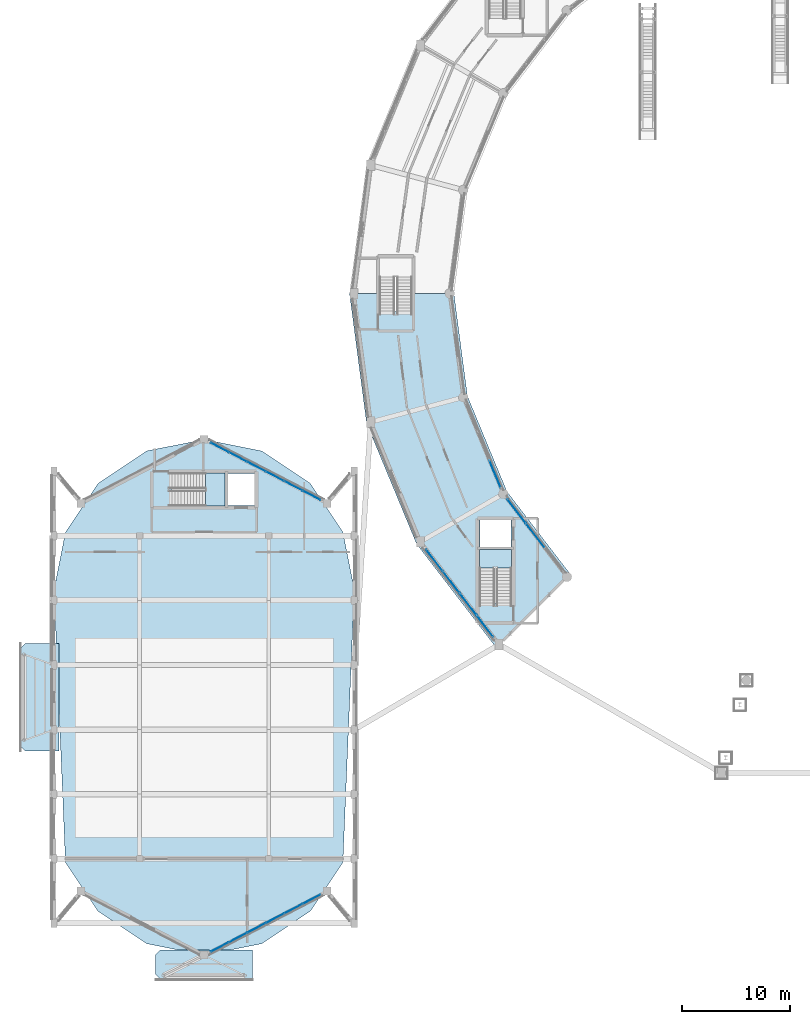
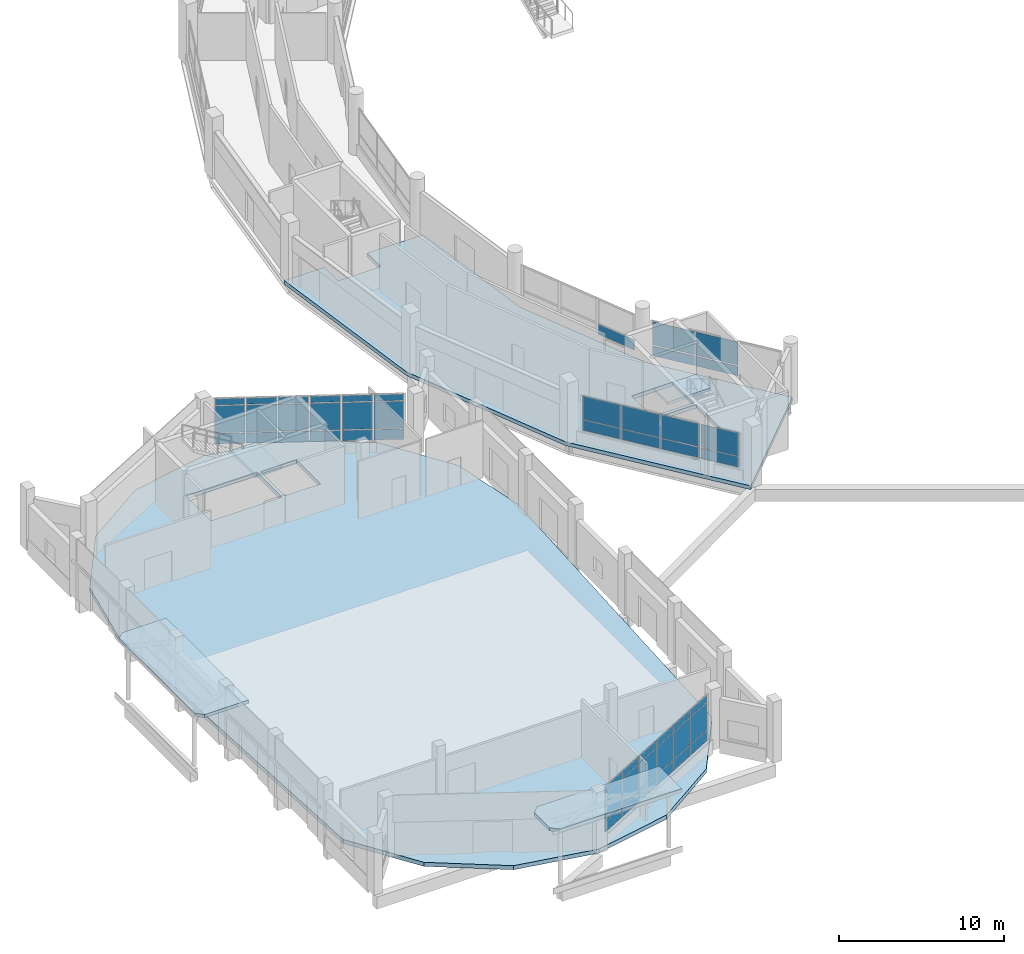
# One storey, part 98 of 129: 49 plates, 6 slabs, 9 elements without a shape of their own.
"""IFC4 building model written with IfcOpenShell, lengths in metres."""

from ifc_helpers import new_model, si_unit, direction, frame, origin, origin_2d, place, context, subcontext, project, spatial, polyline, rectangle, outline, extrude, material, layer, layer_set, type_object, element, aggregate, save


model = new_model("IFC4")

# Units and contexts
model_context = context("Model", 3, precision=1e-05, world=origin(), true_north=direction((0.0, 1.0)))
body_context = subcontext(model_context, "Body", "Model", "MODEL_VIEW")
ifc_project = project(units=[si_unit("LENGTHUNIT", "METRE"), si_unit("AREAUNIT", "SQUARE_METRE"), si_unit("VOLUMEUNIT", "CUBIC_METRE"), si_unit("PLANEANGLEUNIT", "RADIAN"), si_unit("MASSUNIT", "GRAM", prefix="KILO")], contexts=[model_context])

# Site, building, storey
site_placement = place(None, origin())
site = spatial("IfcSite", under=ifc_project, at=site_placement, CompositionType="ELEMENT")
building_placement = place(site_placement, origin())
building = spatial("IfcBuilding", under=site, at=building_placement, Name="Vespera Passage Community Centre", CompositionType="ELEMENT")
storey_placement = place(building_placement, origin())
storey = spatial("IfcBuildingStorey", under=building, at=storey_placement, Name="L00", CompositionType="ELEMENT", Elevation=0.0)

# Curtain wall, plate
ifc_material_1 = material(Name="Anodized aluminium 6063-T6", Category="aluminium")
ifc_layer_1 = layer(ifc_material_1, 0.159912109375)
ifc_layer_set_1 = layer_set([ifc_layer_1], Name="Anodized aluminium 6063-T6")
curtain_wall_type_1 = type_object("IfcCurtainWallType", Name="CW-02E", PredefinedType="NOTDEFINED", material=ifc_layer_set_1)
curtain_wall_1_placement = place(storey_placement, origin())
curtain_wall_1 = element("IfcCurtainWall", 1, at=curtain_wall_1_placement, inside=storey, type_object=curtain_wall_type_1, Name="V4 L00 Inner Court Curtain Wall 13", PredefinedType="NOTDEFINED")
ifc_material_2 = material(Name="Low-E insulated vision glass", Category="glass")
ifc_layer_2 = layer(ifc_material_2, 0.028076171875)
ifc_layer_set_2 = layer_set([ifc_layer_2], Name="Low-E insulated vision glass")
plate_type_1 = type_object("IfcPlateType", Name="PL-CWP-28E", PredefinedType="CURTAIN_PANEL", material=ifc_layer_set_2)
plate_1_placement = place(storey_placement, frame((45.019775390625, 48.7451171875, 0.8798828125), z_axis=(0.0, 0.0, 1.0), x_axis=(0.382690463482, -0.923876620096, 0.0)))
plate_1 = element("IfcPlate", 2, at=plate_1_placement, type_object=plate_type_1, Name="CW-02E panel 3.1", PredefinedType="CURTAIN_PANEL", context=body_context, shape_type="SweptSolid", body=[
    extrude(rectangle(XDim=2.7646484375, YDim=0.028076171875, at=origin_2d()), origin(), (0.0, 0.0, 1.0), 0.760009765625),
])
aggregate(curtain_wall_1, [plate_1])

# Curtain wall, plates
ifc_material_3 = material(Name="Anodized aluminium 6063-T6", Category="aluminium")
ifc_layer_3 = layer(ifc_material_3, 0.159912109375)
ifc_layer_set_3 = layer_set([ifc_layer_3], Name="Anodized aluminium 6063-T6")
curtain_wall_type_2 = type_object("IfcCurtainWallType", Name="CW-83E", PredefinedType="NOTDEFINED", material=ifc_layer_set_3)
curtain_wall_2_placement = place(storey_placement, origin())
curtain_wall_2 = element("IfcCurtainWall", 3, at=curtain_wall_2_placement, inside=storey, type_object=curtain_wall_type_2, Name="V1 L00 N Apse Ribbon Curtain Wall 3", PredefinedType="NOTDEFINED")
plate_2_placement = place(storey_placement, frame((19.4404296875, 51.2001953125, 0.85986328125), z_axis=(0.0, 0.0, 1.0), x_axis=(0.887012747062, -0.46174493668, 0.0)))
plate_2 = element("IfcPlate", 4, at=plate_2_placement, type_object=plate_type_1, Name="CW-83E panel 1.1", PredefinedType="CURTAIN_PANEL", context=body_context, shape_type="SweptSolid", body=[
    extrude(rectangle(XDim=1.822021484375, YDim=0.028076171875, at=origin_2d()), origin(), (0.0, 0.0, 1.0), 0.760009765625),
])
plate_3_placement = place(storey_placement, frame((19.4404296875, 51.2001953125, 1.68017578125), z_axis=(0.0, 0.0, 1.0), x_axis=(0.887012747062, -0.46174493668, 0.0)))
plate_3 = element("IfcPlate", 5, at=plate_3_placement, type_object=plate_type_1, Name="CW-83E panel 1.2", PredefinedType="CURTAIN_PANEL", context=body_context, shape_type="SweptSolid", body=[
    extrude(rectangle(XDim=1.822021484375, YDim=0.028076171875, at=origin_2d()), origin(), (0.0, 0.0, 1.0), 1.989990234375),
])
plate_4_placement = place(storey_placement, frame((19.4404296875, 51.2001953125, 3.72998046875), z_axis=(0.0, 0.0, 1.0), x_axis=(0.887012747062, -0.46174493668, 0.0)))
plate_4 = element("IfcPlate", 6, at=plate_4_placement, type_object=plate_type_1, Name="CW-83E panel 1.3", PredefinedType="CURTAIN_PANEL", context=body_context, shape_type="SweptSolid", body=[
    extrude(rectangle(XDim=1.822021484375, YDim=0.028076171875, at=origin_2d()), origin(), (0.0, 0.0, 1.0), 0.4599609375),
])
plate_5_placement = place(storey_placement, frame((21.1396484375, 50.315673828125, 0.85986328125), z_axis=(0.0, 0.0, 1.0), x_axis=(0.887012747062, -0.46174493668, 0.0)))
plate_5 = element("IfcPlate", 7, at=plate_5_placement, type_object=plate_type_1, Name="CW-83E panel 2.1", PredefinedType="CURTAIN_PANEL", context=body_context, shape_type="SweptSolid", body=[
    extrude(rectangle(XDim=1.859619140625, YDim=0.028076171875, at=origin_2d()), origin(), (0.0, 0.0, 1.0), 0.760009765625),
])
plate_6_placement = place(storey_placement, frame((21.1396484375, 50.315673828125, 1.68017578125), z_axis=(0.0, 0.0, 1.0), x_axis=(0.887012747062, -0.46174493668, 0.0)))
plate_6 = element("IfcPlate", 8, at=plate_6_placement, type_object=plate_type_1, Name="CW-83E panel 2.2", PredefinedType="CURTAIN_PANEL", context=body_context, shape_type="SweptSolid", body=[
    extrude(rectangle(XDim=1.859619140625, YDim=0.028076171875, at=origin_2d()), origin(), (0.0, 0.0, 1.0), 1.989990234375),
])
plate_7_placement = place(storey_placement, frame((21.1396484375, 50.315673828125, 3.72998046875), z_axis=(0.0, 0.0, 1.0), x_axis=(0.887012747062, -0.46174493668, 0.0)))
plate_7 = element("IfcPlate", 9, at=plate_7_placement, type_object=plate_type_1, Name="CW-83E panel 2.3", PredefinedType="CURTAIN_PANEL", context=body_context, shape_type="SweptSolid", body=[
    extrude(rectangle(XDim=1.859619140625, YDim=0.028076171875, at=origin_2d()), origin(), (0.0, 0.0, 1.0), 0.4599609375),
])
plate_8_placement = place(storey_placement, frame((22.855712890625, 49.42236328125, 0.85986328125), z_axis=(0.0, 0.0, 1.0), x_axis=(0.887012747062, -0.46174493668, 0.0)))
plate_8 = element("IfcPlate", 10, at=plate_8_placement, type_object=plate_type_1, Name="CW-83E panel 3.1", PredefinedType="CURTAIN_PANEL", context=body_context, shape_type="SweptSolid", body=[
    extrude(rectangle(XDim=1.859619140625, YDim=0.028076171875, at=origin_2d()), origin(), (0.0, 0.0, 1.0), 0.760009765625),
])
plate_9_placement = place(storey_placement, frame((22.855712890625, 49.42236328125, 1.68017578125), z_axis=(0.0, 0.0, 1.0), x_axis=(0.887012747062, -0.46174493668, 0.0)))
plate_9 = element("IfcPlate", 11, at=plate_9_placement, type_object=plate_type_1, Name="CW-83E panel 3.2", PredefinedType="CURTAIN_PANEL", context=body_context, shape_type="SweptSolid", body=[
    extrude(rectangle(XDim=1.859619140625, YDim=0.028076171875, at=origin_2d()), origin(), (0.0, 0.0, 1.0), 1.989990234375),
])
plate_10_placement = place(storey_placement, frame((22.855712890625, 49.42236328125, 3.72998046875), z_axis=(0.0, 0.0, 1.0), x_axis=(0.887012747062, -0.46174493668, 0.0)))
plate_10 = element("IfcPlate", 12, at=plate_10_placement, type_object=plate_type_1, Name="CW-83E panel 3.3", PredefinedType="CURTAIN_PANEL", context=body_context, shape_type="SweptSolid", body=[
    extrude(rectangle(XDim=1.859619140625, YDim=0.028076171875, at=origin_2d()), origin(), (0.0, 0.0, 1.0), 0.4599609375),
])
plate_11_placement = place(storey_placement, frame((24.571533203125, 48.529052734375, 0.85986328125), z_axis=(0.0, 0.0, 1.0), x_axis=(0.887012747062, -0.46174493668, 0.0)))
plate_11 = element("IfcPlate", 13, at=plate_11_placement, type_object=plate_type_1, Name="CW-83E panel 4.1", PredefinedType="CURTAIN_PANEL", context=body_context, shape_type="SweptSolid", body=[
    extrude(rectangle(XDim=1.859619140625, YDim=0.028076171875, at=origin_2d()), origin(), (0.0, 0.0, 1.0), 0.760009765625),
])
plate_12_placement = place(storey_placement, frame((24.571533203125, 48.529052734375, 1.68017578125), z_axis=(0.0, 0.0, 1.0), x_axis=(0.887012747062, -0.46174493668, 0.0)))
plate_12 = element("IfcPlate", 14, at=plate_12_placement, type_object=plate_type_1, Name="CW-83E panel 4.2", PredefinedType="CURTAIN_PANEL", context=body_context, shape_type="SweptSolid", body=[
    extrude(rectangle(XDim=1.859619140625, YDim=0.028076171875, at=origin_2d()), origin(), (0.0, 0.0, 1.0), 1.989990234375),
])
plate_13_placement = place(storey_placement, frame((24.571533203125, 48.529052734375, 3.72998046875), z_axis=(0.0, 0.0, 1.0), x_axis=(0.887012747062, -0.46174493668, 0.0)))
plate_13 = element("IfcPlate", 15, at=plate_13_placement, type_object=plate_type_1, Name="CW-83E panel 4.3", PredefinedType="CURTAIN_PANEL", context=body_context, shape_type="SweptSolid", body=[
    extrude(rectangle(XDim=1.859619140625, YDim=0.028076171875, at=origin_2d()), origin(), (0.0, 0.0, 1.0), 0.4599609375),
])
plate_14_placement = place(storey_placement, frame((26.28759765625, 47.6357421875, 0.85986328125), z_axis=(0.0, 0.0, 1.0), x_axis=(0.887012747062, -0.46174493668, 0.0)))
plate_14 = element("IfcPlate", 16, at=plate_14_placement, type_object=plate_type_1, Name="CW-83E panel 5.1", PredefinedType="CURTAIN_PANEL", context=body_context, shape_type="SweptSolid", body=[
    extrude(rectangle(XDim=1.859619140625, YDim=0.028076171875, at=origin_2d()), origin(), (0.0, 0.0, 1.0), 0.760009765625),
])
plate_15_placement = place(storey_placement, frame((26.28759765625, 47.6357421875, 1.68017578125), z_axis=(0.0, 0.0, 1.0), x_axis=(0.887012747062, -0.46174493668, 0.0)))
plate_15 = element("IfcPlate", 17, at=plate_15_placement, type_object=plate_type_1, Name="CW-83E panel 5.2", PredefinedType="CURTAIN_PANEL", context=body_context, shape_type="SweptSolid", body=[
    extrude(rectangle(XDim=1.859619140625, YDim=0.028076171875, at=origin_2d()), origin(), (0.0, 0.0, 1.0), 1.989990234375),
])
plate_16_placement = place(storey_placement, frame((26.28759765625, 47.6357421875, 3.72998046875), z_axis=(0.0, 0.0, 1.0), x_axis=(0.887012747062, -0.46174493668, 0.0)))
plate_16 = element("IfcPlate", 18, at=plate_16_placement, type_object=plate_type_1, Name="CW-83E panel 5.3", PredefinedType="CURTAIN_PANEL", context=body_context, shape_type="SweptSolid", body=[
    extrude(rectangle(XDim=1.859619140625, YDim=0.028076171875, at=origin_2d()), origin(), (0.0, 0.0, 1.0), 0.4599609375),
])
plate_17_placement = place(storey_placement, frame((27.98681640625, 46.751220703125, 0.85986328125), z_axis=(0.0, 0.0, 1.0), x_axis=(0.887012747062, -0.46174493668, 0.0)))
plate_17 = element("IfcPlate", 19, at=plate_17_placement, type_object=plate_type_1, Name="CW-83E panel 6.1", PredefinedType="CURTAIN_PANEL", context=body_context, shape_type="SweptSolid", body=[
    extrude(rectangle(XDim=1.822021484375, YDim=0.028076171875, at=origin_2d()), origin(), (0.0, 0.0, 1.0), 0.760009765625),
])
plate_18_placement = place(storey_placement, frame((27.98681640625, 46.751220703125, 1.68017578125), z_axis=(0.0, 0.0, 1.0), x_axis=(0.887012747062, -0.46174493668, 0.0)))
plate_18 = element("IfcPlate", 20, at=plate_18_placement, type_object=plate_type_1, Name="CW-83E panel 6.2", PredefinedType="CURTAIN_PANEL", context=body_context, shape_type="SweptSolid", body=[
    extrude(rectangle(XDim=1.822021484375, YDim=0.028076171875, at=origin_2d()), origin(), (0.0, 0.0, 1.0), 1.989990234375),
])
plate_19_placement = place(storey_placement, frame((27.98681640625, 46.751220703125, 3.72998046875), z_axis=(0.0, 0.0, 1.0), x_axis=(0.887012747062, -0.46174493668, 0.0)))
plate_19 = element("IfcPlate", 21, at=plate_19_placement, type_object=plate_type_1, Name="CW-83E panel 6.3", PredefinedType="CURTAIN_PANEL", context=body_context, shape_type="SweptSolid", body=[
    extrude(rectangle(XDim=1.822021484375, YDim=0.028076171875, at=origin_2d()), origin(), (0.0, 0.0, 1.0), 0.4599609375),
])
aggregate(curtain_wall_2, [plate_2, plate_3, plate_4, plate_5, plate_6, plate_7, plate_8, plate_9, plate_10, plate_11, plate_12, plate_13, plate_14, plate_15, plate_16, plate_17, plate_18, plate_19])

curtain_wall_3_placement = place(storey_placement, origin())
curtain_wall_3 = element("IfcCurtainWall", 22, at=curtain_wall_3_placement, inside=storey, type_object=curtain_wall_type_2, Name="V1 L00 S Apse Ribbon Curtain Wall 2", PredefinedType="NOTDEFINED")
plate_20_placement = place(storey_placement, frame((27.98681640625, 9.248779296875, 0.85986328125), z_axis=(0.0, 0.0, 1.0), x_axis=(-0.887012747062, -0.46174493668, 0.0)))
plate_20 = element("IfcPlate", 23, at=plate_20_placement, type_object=plate_type_1, Name="CW-83E panel 1.1", PredefinedType="CURTAIN_PANEL", context=body_context, shape_type="SweptSolid", body=[
    extrude(rectangle(XDim=1.822021484375, YDim=0.028076171875, at=origin_2d()), origin(), (0.0, 0.0, 1.0), 0.760009765625),
])
plate_21_placement = place(storey_placement, frame((27.98681640625, 9.248779296875, 1.68017578125), z_axis=(0.0, 0.0, 1.0), x_axis=(-0.887012747062, -0.46174493668, 0.0)))
plate_21 = element("IfcPlate", 24, at=plate_21_placement, type_object=plate_type_1, Name="CW-83E panel 1.2", PredefinedType="CURTAIN_PANEL", context=body_context, shape_type="SweptSolid", body=[
    extrude(rectangle(XDim=1.822021484375, YDim=0.028076171875, at=origin_2d()), origin(), (0.0, 0.0, 1.0), 1.989990234375),
])
plate_22_placement = place(storey_placement, frame((27.98681640625, 9.248779296875, 3.72998046875), z_axis=(0.0, 0.0, 1.0), x_axis=(-0.887012747062, -0.46174493668, 0.0)))
plate_22 = element("IfcPlate", 25, at=plate_22_placement, type_object=plate_type_1, Name="CW-83E panel 1.3", PredefinedType="CURTAIN_PANEL", context=body_context, shape_type="SweptSolid", body=[
    extrude(rectangle(XDim=1.822021484375, YDim=0.028076171875, at=origin_2d()), origin(), (0.0, 0.0, 1.0), 0.4599609375),
])
plate_23_placement = place(storey_placement, frame((26.28759765625, 8.3642578125, 0.85986328125), z_axis=(0.0, 0.0, 1.0), x_axis=(-0.887012747062, -0.46174493668, 0.0)))
plate_23 = element("IfcPlate", 26, at=plate_23_placement, type_object=plate_type_1, Name="CW-83E panel 2.1", PredefinedType="CURTAIN_PANEL", context=body_context, shape_type="SweptSolid", body=[
    extrude(rectangle(XDim=1.859619140625, YDim=0.028076171875, at=origin_2d()), origin(), (0.0, 0.0, 1.0), 0.760009765625),
])
plate_24_placement = place(storey_placement, frame((26.28759765625, 8.3642578125, 1.68017578125), z_axis=(0.0, 0.0, 1.0), x_axis=(-0.887012747062, -0.46174493668, 0.0)))
plate_24 = element("IfcPlate", 27, at=plate_24_placement, type_object=plate_type_1, Name="CW-83E panel 2.2", PredefinedType="CURTAIN_PANEL", context=body_context, shape_type="SweptSolid", body=[
    extrude(rectangle(XDim=1.859619140625, YDim=0.028076171875, at=origin_2d()), origin(), (0.0, 0.0, 1.0), 1.989990234375),
])
plate_25_placement = place(storey_placement, frame((26.28759765625, 8.3642578125, 3.72998046875), z_axis=(0.0, 0.0, 1.0), x_axis=(-0.887012747062, -0.46174493668, 0.0)))
plate_25 = element("IfcPlate", 28, at=plate_25_placement, type_object=plate_type_1, Name="CW-83E panel 2.3", PredefinedType="CURTAIN_PANEL", context=body_context, shape_type="SweptSolid", body=[
    extrude(rectangle(XDim=1.859619140625, YDim=0.028076171875, at=origin_2d()), origin(), (0.0, 0.0, 1.0), 0.4599609375),
])
plate_26_placement = place(storey_placement, frame((24.571533203125, 7.470947265625, 0.85986328125), z_axis=(0.0, 0.0, 1.0), x_axis=(-0.887012747062, -0.46174493668, 0.0)))
plate_26 = element("IfcPlate", 29, at=plate_26_placement, type_object=plate_type_1, Name="CW-83E panel 3.1", PredefinedType="CURTAIN_PANEL", context=body_context, shape_type="SweptSolid", body=[
    extrude(rectangle(XDim=1.859619140625, YDim=0.028076171875, at=origin_2d()), origin(), (0.0, 0.0, 1.0), 0.760009765625),
])
plate_27_placement = place(storey_placement, frame((24.571533203125, 7.470947265625, 1.68017578125), z_axis=(0.0, 0.0, 1.0), x_axis=(-0.887012747062, -0.46174493668, 0.0)))
plate_27 = element("IfcPlate", 30, at=plate_27_placement, type_object=plate_type_1, Name="CW-83E panel 3.2", PredefinedType="CURTAIN_PANEL", context=body_context, shape_type="SweptSolid", body=[
    extrude(rectangle(XDim=1.859619140625, YDim=0.028076171875, at=origin_2d()), origin(), (0.0, 0.0, 1.0), 1.989990234375),
])
plate_28_placement = place(storey_placement, frame((24.571533203125, 7.470947265625, 3.72998046875), z_axis=(0.0, 0.0, 1.0), x_axis=(-0.887012747062, -0.46174493668, 0.0)))
plate_28 = element("IfcPlate", 31, at=plate_28_placement, type_object=plate_type_1, Name="CW-83E panel 3.3", PredefinedType="CURTAIN_PANEL", context=body_context, shape_type="SweptSolid", body=[
    extrude(rectangle(XDim=1.859619140625, YDim=0.028076171875, at=origin_2d()), origin(), (0.0, 0.0, 1.0), 0.4599609375),
])
plate_29_placement = place(storey_placement, frame((22.855712890625, 6.57763671875, 0.85986328125), z_axis=(0.0, 0.0, 1.0), x_axis=(-0.887012747062, -0.46174493668, 0.0)))
plate_29 = element("IfcPlate", 32, at=plate_29_placement, type_object=plate_type_1, Name="CW-83E panel 4.1", PredefinedType="CURTAIN_PANEL", context=body_context, shape_type="SweptSolid", body=[
    extrude(rectangle(XDim=1.859619140625, YDim=0.028076171875, at=origin_2d()), origin(), (0.0, 0.0, 1.0), 0.760009765625),
])
plate_30_placement = place(storey_placement, frame((22.855712890625, 6.57763671875, 1.68017578125), z_axis=(0.0, 0.0, 1.0), x_axis=(-0.887012747062, -0.46174493668, 0.0)))
plate_30 = element("IfcPlate", 33, at=plate_30_placement, type_object=plate_type_1, Name="CW-83E panel 4.2", PredefinedType="CURTAIN_PANEL", context=body_context, shape_type="SweptSolid", body=[
    extrude(rectangle(XDim=1.859619140625, YDim=0.028076171875, at=origin_2d()), origin(), (0.0, 0.0, 1.0), 1.989990234375),
])
plate_31_placement = place(storey_placement, frame((22.855712890625, 6.57763671875, 3.72998046875), z_axis=(0.0, 0.0, 1.0), x_axis=(-0.887012747062, -0.46174493668, 0.0)))
plate_31 = element("IfcPlate", 34, at=plate_31_placement, type_object=plate_type_1, Name="CW-83E panel 4.3", PredefinedType="CURTAIN_PANEL", context=body_context, shape_type="SweptSolid", body=[
    extrude(rectangle(XDim=1.859619140625, YDim=0.028076171875, at=origin_2d()), origin(), (0.0, 0.0, 1.0), 0.4599609375),
])
plate_32_placement = place(storey_placement, frame((21.1396484375, 5.684326171875, 0.85986328125), z_axis=(0.0, 0.0, 1.0), x_axis=(-0.887012747062, -0.46174493668, 0.0)))
plate_32 = element("IfcPlate", 35, at=plate_32_placement, type_object=plate_type_1, Name="CW-83E panel 5.1", PredefinedType="CURTAIN_PANEL", context=body_context, shape_type="SweptSolid", body=[
    extrude(rectangle(XDim=1.859619140625, YDim=0.028076171875, at=origin_2d()), origin(), (0.0, 0.0, 1.0), 0.760009765625),
])
plate_33_placement = place(storey_placement, frame((21.1396484375, 5.684326171875, 1.68017578125), z_axis=(0.0, 0.0, 1.0), x_axis=(-0.887012747062, -0.46174493668, 0.0)))
plate_33 = element("IfcPlate", 36, at=plate_33_placement, type_object=plate_type_1, Name="CW-83E panel 5.2", PredefinedType="CURTAIN_PANEL", context=body_context, shape_type="SweptSolid", body=[
    extrude(rectangle(XDim=1.859619140625, YDim=0.028076171875, at=origin_2d()), origin(), (0.0, 0.0, 1.0), 1.989990234375),
])
plate_34_placement = place(storey_placement, frame((21.1396484375, 5.684326171875, 3.72998046875), z_axis=(0.0, 0.0, 1.0), x_axis=(-0.887012747062, -0.46174493668, 0.0)))
plate_34 = element("IfcPlate", 37, at=plate_34_placement, type_object=plate_type_1, Name="CW-83E panel 5.3", PredefinedType="CURTAIN_PANEL", context=body_context, shape_type="SweptSolid", body=[
    extrude(rectangle(XDim=1.859619140625, YDim=0.028076171875, at=origin_2d()), origin(), (0.0, 0.0, 1.0), 0.4599609375),
])
plate_35_placement = place(storey_placement, frame((19.4404296875, 4.7998046875, 0.85986328125), z_axis=(0.0, 0.0, 1.0), x_axis=(-0.887012747062, -0.46174493668, 0.0)))
plate_35 = element("IfcPlate", 38, at=plate_35_placement, type_object=plate_type_1, Name="CW-83E panel 6.1", PredefinedType="CURTAIN_PANEL", context=body_context, shape_type="SweptSolid", body=[
    extrude(rectangle(XDim=1.822021484375, YDim=0.028076171875, at=origin_2d()), origin(), (0.0, 0.0, 1.0), 0.760009765625),
])
plate_36_placement = place(storey_placement, frame((19.4404296875, 4.7998046875, 1.68017578125), z_axis=(0.0, 0.0, 1.0), x_axis=(-0.887012747062, -0.46174493668, 0.0)))
plate_36 = element("IfcPlate", 39, at=plate_36_placement, type_object=plate_type_1, Name="CW-83E panel 6.2", PredefinedType="CURTAIN_PANEL", context=body_context, shape_type="SweptSolid", body=[
    extrude(rectangle(XDim=1.822021484375, YDim=0.028076171875, at=origin_2d()), origin(), (0.0, 0.0, 1.0), 1.989990234375),
])
plate_37_placement = place(storey_placement, frame((19.4404296875, 4.7998046875, 3.72998046875), z_axis=(0.0, 0.0, 1.0), x_axis=(-0.887012747062, -0.46174493668, 0.0)))
plate_37 = element("IfcPlate", 40, at=plate_37_placement, type_object=plate_type_1, Name="CW-83E panel 6.3", PredefinedType="CURTAIN_PANEL", context=body_context, shape_type="SweptSolid", body=[
    extrude(rectangle(XDim=1.822021484375, YDim=0.028076171875, at=origin_2d()), origin(), (0.0, 0.0, 1.0), 0.4599609375),
])
aggregate(curtain_wall_3, [plate_20, plate_21, plate_22, plate_23, plate_24, plate_25, plate_26, plate_27, plate_28, plate_29, plate_30, plate_31, plate_32, plate_33, plate_34, plate_35, plate_36, plate_37])

ifc_material_4 = material(Name="Anodized aluminium 6063-T6", Category="aluminium")
ifc_layer_4 = layer(ifc_material_4, 0.159912109375)
ifc_layer_set_4 = layer_set([ifc_layer_4], Name="Anodized aluminium 6063-T6")
curtain_wall_type_3 = type_object("IfcCurtainWallType", Name="CW-10E", PredefinedType="NOTDEFINED", material=ifc_layer_set_4)
curtain_wall_4_placement = place(storey_placement, origin())
curtain_wall_4 = element("IfcCurtainWall", 41, at=curtain_wall_4_placement, inside=storey, type_object=curtain_wall_type_3, Name="V4 L00 Outer Ribbon Curtain Wall 14", PredefinedType="NOTDEFINED")
ifc_material_5 = material(Name="Acoustic triple-glazed vision glass", Category="glass")
ifc_layer_5 = layer(ifc_material_5, 0.035888671875)
ifc_layer_set_5 = layer_set([ifc_layer_5], Name="Acoustic triple-glazed vision glass")
plate_type_2 = type_object("IfcPlateType", Name="PL-CWP-36E", PredefinedType="CURTAIN_PANEL", material=ifc_layer_set_5)
plate_38_placement = place(storey_placement, frame((44.095703125, 34.605224609375, 0.8798828125), z_axis=(0.0, 0.0, 1.0), x_axis=(-0.608765447029, 0.793350257139, 0.0)))
plate_38 = element("IfcPlate", 42, at=plate_38_placement, type_object=plate_type_2, Name="CW-10E panel 1.1", PredefinedType="CURTAIN_PANEL", context=body_context, shape_type="SweptSolid", body=[
    extrude(rectangle(XDim=2.480712890625, YDim=0.035888671875, at=origin_2d()), origin(), (0.0, 0.0, 1.0), 0.760009765625),
])
plate_39_placement = place(storey_placement, frame((44.095703125, 34.605224609375, 1.699951171875), z_axis=(0.0, 0.0, 1.0), x_axis=(-0.608765447029, 0.793350257139, 0.0)))
plate_39 = element("IfcPlate", 43, at=plate_39_placement, type_object=plate_type_2, Name="CW-10E panel 1.2", PredefinedType="CURTAIN_PANEL", context=body_context, shape_type="SweptSolid", body=[
    extrude(rectangle(XDim=2.480712890625, YDim=0.035888671875, at=origin_2d()), origin(), (0.0, 0.0, 1.0), 1.685546875),
])
plate_40_placement = place(storey_placement, frame((42.528564453125, 36.6474609375, 0.8798828125), z_axis=(0.0, 0.0, 1.0), x_axis=(-0.608765447029, 0.793350257139, 0.0)))
plate_40 = element("IfcPlate", 44, at=plate_40_placement, type_object=plate_type_2, Name="CW-10E panel 2.1", PredefinedType="CURTAIN_PANEL", context=body_context, shape_type="SweptSolid", body=[
    extrude(rectangle(XDim=2.51806640625, YDim=0.035888671875, at=origin_2d()), origin(), (0.0, 0.0, 1.0), 0.760009765625),
])
plate_41_placement = place(storey_placement, frame((42.528564453125, 36.6474609375, 1.699951171875), z_axis=(0.0, 0.0, 1.0), x_axis=(-0.608765447029, 0.793350257139, 0.0)))
plate_41 = element("IfcPlate", 45, at=plate_41_placement, type_object=plate_type_2, Name="CW-10E panel 2.2", PredefinedType="CURTAIN_PANEL", context=body_context, shape_type="SweptSolid", body=[
    extrude(rectangle(XDim=2.51806640625, YDim=0.035888671875, at=origin_2d()), origin(), (0.0, 0.0, 1.0), 1.685546875),
])
plate_42_placement = place(storey_placement, frame((40.949951171875, 38.704833984375, 0.8798828125), z_axis=(0.0, 0.0, 1.0), x_axis=(-0.608765447029, 0.793350257139, 0.0)))
plate_42 = element("IfcPlate", 46, at=plate_42_placement, type_object=plate_type_2, Name="CW-10E panel 3.1", PredefinedType="CURTAIN_PANEL", context=body_context, shape_type="SweptSolid", body=[
    extrude(rectangle(XDim=2.51806640625, YDim=0.035888671875, at=origin_2d()), origin(), (0.0, 0.0, 1.0), 0.760009765625),
])
plate_43_placement = place(storey_placement, frame((40.949951171875, 38.704833984375, 1.699951171875), z_axis=(0.0, 0.0, 1.0), x_axis=(-0.608765447029, 0.793350257139, 0.0)))
plate_43 = element("IfcPlate", 47, at=plate_43_placement, type_object=plate_type_2, Name="CW-10E panel 3.2", PredefinedType="CURTAIN_PANEL", context=body_context, shape_type="SweptSolid", body=[
    extrude(rectangle(XDim=2.51806640625, YDim=0.035888671875, at=origin_2d()), origin(), (0.0, 0.0, 1.0), 1.685546875),
])
plate_44_placement = place(storey_placement, frame((39.3828125, 40.747314453125, 0.8798828125), z_axis=(0.0, 0.0, 1.0), x_axis=(-0.608765447029, 0.793350257139, 0.0)))
plate_44 = element("IfcPlate", 48, at=plate_44_placement, type_object=plate_type_2, Name="CW-10E panel 4.1", PredefinedType="CURTAIN_PANEL", context=body_context, shape_type="SweptSolid", body=[
    extrude(rectangle(XDim=2.480712890625, YDim=0.035888671875, at=origin_2d()), origin(), (0.0, 0.0, 1.0), 0.760009765625),
])
plate_45_placement = place(storey_placement, frame((39.3828125, 40.747314453125, 1.699951171875), z_axis=(0.0, 0.0, 1.0), x_axis=(-0.608765447029, 0.793350257139, 0.0)))
plate_45 = element("IfcPlate", 49, at=plate_45_placement, type_object=plate_type_2, Name="CW-10E panel 4.2", PredefinedType="CURTAIN_PANEL", context=body_context, shape_type="SweptSolid", body=[
    extrude(rectangle(XDim=2.480712890625, YDim=0.035888671875, at=origin_2d()), origin(), (0.0, 0.0, 1.0), 1.685546875),
])
aggregate(curtain_wall_4, [plate_38, plate_39, plate_40, plate_41, plate_42, plate_43, plate_44, plate_45])

ifc_material_6 = material(Name="Anodized aluminium 6063-T6", Category="aluminium")
ifc_layer_6 = layer(ifc_material_6, 0.159912109375)
ifc_layer_set_6 = layer_set([ifc_layer_6], Name="Anodized aluminium 6063-T6")
curtain_wall_type_4 = type_object("IfcCurtainWallType", Name="CW-05E", PredefinedType="NOTDEFINED", material=ifc_layer_set_6)
curtain_wall_5_placement = place(storey_placement, origin())
curtain_wall_5 = element("IfcCurtainWall", 50, at=curtain_wall_5_placement, inside=storey, type_object=curtain_wall_type_4, Name="V4 L00 Inner Court Curtain Wall 14", PredefinedType="NOTDEFINED")
plate_46_placement = place(storey_placement, frame((47.019775390625, 45.289306640625, 0.919921875), z_axis=(0.0, 0.0, 1.0), x_axis=(0.608755087843, -0.793358205999, 0.0)))
plate_46 = element("IfcPlate", 51, at=plate_46_placement, type_object=plate_type_2, Name="CW-05E panel 1.1", PredefinedType="CURTAIN_PANEL", context=body_context, shape_type="SweptSolid", body=[
    extrude(rectangle(XDim=2.744140625, YDim=0.035888671875, at=origin_2d()), origin(), (0.0, 0.0, 1.0), 0.699951171875),
])
plate_47_placement = place(storey_placement, frame((47.019775390625, 45.289306640625, 1.719970703125), z_axis=(0.0, 0.0, 1.0), x_axis=(0.608755087843, -0.793358205999, 0.0)))
plate_47 = element("IfcPlate", 52, at=plate_47_placement, type_object=plate_type_2, Name="CW-05E panel 1.2", PredefinedType="CURTAIN_PANEL", context=body_context, shape_type="SweptSolid", body=[
    extrude(rectangle(XDim=2.744140625, YDim=0.035888671875, at=origin_2d()), origin(), (0.0, 0.0, 1.0), 1.70947265625),
])
plate_48_placement = place(storey_placement, frame((48.73974609375, 43.0478515625, 0.919921875), z_axis=(0.0, 0.0, 1.0), x_axis=(0.608755087843, -0.793358205999, 0.0)))
plate_48 = element("IfcPlate", 53, at=plate_48_placement, type_object=plate_type_2, Name="CW-05E panel 2.1", PredefinedType="CURTAIN_PANEL", context=body_context, shape_type="SweptSolid", body=[
    extrude(rectangle(XDim=2.776611328125, YDim=0.035888671875, at=origin_2d()), origin(), (0.0, 0.0, 1.0), 0.699951171875),
])
plate_49_placement = place(storey_placement, frame((48.73974609375, 43.0478515625, 1.719970703125), z_axis=(0.0, 0.0, 1.0), x_axis=(0.608755087843, -0.793358205999, 0.0)))
plate_49 = element("IfcPlate", 54, at=plate_49_placement, type_object=plate_type_2, Name="CW-05E panel 2.2", PredefinedType="CURTAIN_PANEL", context=body_context, shape_type="SweptSolid", body=[
    extrude(rectangle(XDim=2.776611328125, YDim=0.035888671875, at=origin_2d()), origin(), (0.0, 0.0, 1.0), 1.70947265625),
])
aggregate(curtain_wall_5, [plate_46, plate_47, plate_48, plate_49])

# Roof, slab
ifc_material_7 = material(Name="Concrete f'c 35 MPa", Category="concrete")
roof_type_1 = type_object("IfcRoofType", Name="RF-CANOPY-EC1", PredefinedType="FLAT_ROOF", material=ifc_material_7)
roof_1_placement = place(storey_placement, origin())
roof_1 = element("IfcRoof", 55, at=roof_1_placement, inside=storey, type_object=roof_type_1, Name="West Avenue Main Entrance Canopy", PredefinedType="FLAT_ROOF")
ifc_material_8 = material(Name="Concrete f'c 35 MPa", Category="concrete")
ifc_layer_7 = layer(ifc_material_8, 0.239990234375)
ifc_layer_set_7 = layer_set([ifc_layer_7], Name="Concrete f'c 35 MPa")
slab_type_1 = type_object("IfcSlabType", Name="SL-CANOPY-240E", PredefinedType="ROOF", material=ifc_layer_set_7)
slab_1_placement = place(storey_placement, frame((0.0, 0.0, 4.010009765625)))
slab_1 = element("IfcSlab", 56, at=slab_1_placement, inside=storey, type_object=slab_type_1, Name="West Avenue Main Entrance Canopy", PredefinedType="ROOF", context=body_context, shape_type="SweptSolid", body=[
    extrude(outline(polyline([(1.39990234375, 23.0), (4.5, 23.0), (4.5, 33.0), (1.39990234375, 33.0), (0.949951171875, 32.550048828125), (0.949951171875, 23.449951171875), (1.39990234375, 23.0)])), origin(), (0.0, 0.0, 1.0), 0.239990234375),
])
aggregate(roof_1, [slab_1])

ifc_material_9 = material(Name="Concrete f'c 35 MPa", Category="concrete")
roof_type_2 = type_object("IfcRoofType", Name="RF-CANOPY-EC2", PredefinedType="FLAT_ROOF", material=ifc_material_9)
roof_2_placement = place(storey_placement, origin())
roof_2 = element("IfcRoof", 57, at=roof_2_placement, inside=storey, type_object=roof_type_2, Name="South Avenue Foyer Entrance Canopy", PredefinedType="FLAT_ROOF")
slab_2_placement = place(storey_placement, frame((0.0, 0.0, 4.010009765625)))
slab_2 = element("IfcSlab", 58, at=slab_2_placement, inside=storey, type_object=slab_type_1, Name="South Avenue Foyer Entrance Canopy", PredefinedType="ROOF", context=body_context, shape_type="SweptSolid", body=[
    extrude(outline(polyline([(13.949951171875, 1.800048828125), (22.5, 1.800048828125), (22.5, 4.550048828125), (13.949951171875, 4.550048828125), (13.5, 4.10009765625), (13.5, 2.25), (13.949951171875, 1.800048828125)])), origin(), (0.0, 0.0, 1.0), 0.239990234375),
])
aggregate(roof_2, [slab_2])

# Slabs
ifc_material_10 = material(Name="Concrete f'c 35 MPa", Category="concrete")
ifc_layer_8 = layer(ifc_material_10, 0.280029296875)
ifc_layer_set_8 = layer_set([ifc_layer_8], Name="Concrete f'c 35 MPa")
slab_type_2 = type_object("IfcSlabType", Name="SL-DRUM-280", PredefinedType="FLOOR", material=ifc_layer_set_8)
slab_3_placement = place(storey_placement, frame((0.0, 0.0, -0.280029296875)))
element("IfcSlab", 59, at=slab_3_placement, inside=storey, type_object=slab_type_2, Name="V4 L00 Annular Sector 4 Slab", PredefinedType="FLOOR", context=body_context, shape_type="SweptSolid", body=[
    extrude(outline(polyline([(46.13037109375, 47.10009765625), (51.978515625, 39.478515625), (45.119384765625, 32.619384765625), (37.729736328125, 42.25), (33.08447265625, 53.46484375), (31.5, 65.5), (34.300048828125, 65.5), (34.300048828125, 63.85498046875), (37.300048828125, 63.85498046875), (37.300048828125, 65.5), (41.199951171875, 65.5), (42.453857421875, 55.9755859375), (46.13037109375, 47.10009765625)]), holes=[polyline([(43.56103515625, 41.719970703125), (43.56103515625, 36.75), (46.56103515625, 36.75), (46.56103515625, 41.719970703125), (43.56103515625, 41.719970703125)]), polyline([(46.510986328125, 44.4599609375), (43.611083984375, 44.4599609375), (43.611083984375, 41.9599609375), (46.510986328125, 41.9599609375), (46.510986328125, 44.4599609375)])]), origin(), (0.0, 0.0, 1.0), 0.280029296875),
])
ifc_material_11 = material(Name="Concrete f'c 35 MPa", Category="concrete")
ifc_layer_9 = layer(ifc_material_11, 0.300048828125)
ifc_layer_set_9 = layer_set([ifc_layer_9], Name="Concrete f'c 35 MPa")
slab_type_3 = type_object("IfcSlabType", Name="SL-HALL-300", PredefinedType="FLOOR", material=ifc_layer_set_9)
slab_4_placement = place(storey_placement, frame((0.0, 0.0, -0.300048828125)))
element("IfcSlab", 60, at=slab_4_placement, inside=storey, type_object=slab_type_3, Name="V1 L00 Main Hall Floor Slab", PredefinedType="FLOOR", context=body_context, shape_type="SweptSolid", body=[
    extrude(outline(polyline([(27.864013671875, 8.135986328125), (23.33837890625, 5.11181640625), (18.0, 4.050048828125), (12.66162109375, 5.11181640625), (8.135986328125, 8.135986328125), (5.11181640625, 12.66162109375), (4.050048828125, 38.0), (5.11181640625, 43.33837890625), (8.135986328125, 47.864013671875), (12.66162109375, 50.88818359375), (18.0, 51.949951171875), (23.33837890625, 50.88818359375), (27.864013671875, 47.864013671875), (30.88818359375, 43.33837890625), (31.949951171875, 38.0), (30.88818359375, 12.66162109375), (27.864013671875, 8.135986328125)]), holes=[polyline([(19.955078125, 48.820068359375), (15.0048828125, 48.820068359375), (15.0048828125, 45.780029296875), (19.955078125, 45.780029296875), (19.955078125, 48.820068359375)]), polyline([(22.695068359375, 45.830078125), (22.695068359375, 48.77001953125), (20.195068359375, 48.77001953125), (20.195068359375, 45.830078125), (22.695068359375, 45.830078125)])]), origin(), (0.0, 0.0, 1.0), 0.300048828125),
])

# Stair, slab
ifc_material_12 = material(Name="Concrete f'c 35 MPa", Category="concrete")
stair_type_1 = type_object("IfcStairType", Name="ST-T08", PredefinedType="HALF_TURN_STAIR", material=ifc_material_12)
stair_1_placement = place(storey_placement, origin())
stair_1 = element("IfcStair", 61, at=stair_1_placement, inside=storey, type_object=stair_type_1, Name="L00 Core C3 Exit Stair ST05", PredefinedType="HALF_TURN_STAIR")
ifc_material_13 = material(Name="Concrete f'c 35 MPa", Category="concrete")
ifc_layer_10 = layer(ifc_material_13, 0.199951171875)
ifc_layer_set_10 = layer_set([ifc_layer_10], Name="Concrete f'c 35 MPa")
slab_type_4 = type_object("IfcSlabType", Name="SL-LAND-200I", PredefinedType="LANDING", material=ifc_layer_set_10)
slab_5_placement = place(storey_placement, frame((0.0, 0.0, 2.050048828125)))
slab_5 = element("IfcSlab", 62, at=slab_5_placement, type_object=slab_type_4, Name="ST05 landing 1", PredefinedType="LANDING", context=body_context, shape_type="SweptSolid", body=[
    extrude(outline(polyline([(46.56103515625, 40.010009765625), (46.56103515625, 41.719970703125), (43.56103515625, 41.719970703125), (43.56103515625, 40.010009765625), (46.56103515625, 40.010009765625)])), origin(), (0.0, 0.0, 1.0), 0.199951171875),
])
aggregate(stair_1, [slab_5])

ifc_material_14 = material(Name="Concrete f'c 35 MPa", Category="concrete")
stair_type_2 = type_object("IfcStairType", Name="ST-T14", PredefinedType="HALF_TURN_STAIR", material=ifc_material_14)
stair_2_placement = place(storey_placement, origin())
stair_2 = element("IfcStair", 63, at=stair_2_placement, inside=storey, type_object=stair_type_2, Name="L00 Core C5 Exit Stair ST01", PredefinedType="HALF_TURN_STAIR")
slab_6_placement = place(storey_placement, frame((0.0, 0.0, 2.050048828125)))
slab_6 = element("IfcSlab", 64, at=slab_6_placement, type_object=slab_type_4, Name="ST01 landing 1", PredefinedType="LANDING", context=body_context, shape_type="SweptSolid", body=[
    extrude(outline(polyline([(18.14501953125, 45.780029296875), (19.955078125, 45.780029296875), (19.955078125, 48.820068359375), (18.14501953125, 48.820068359375), (18.14501953125, 45.780029296875)])), origin(), (0.0, 0.0, 1.0), 0.199951171875),
])
aggregate(stair_2, [slab_6])

save(model, "model.ifc")
